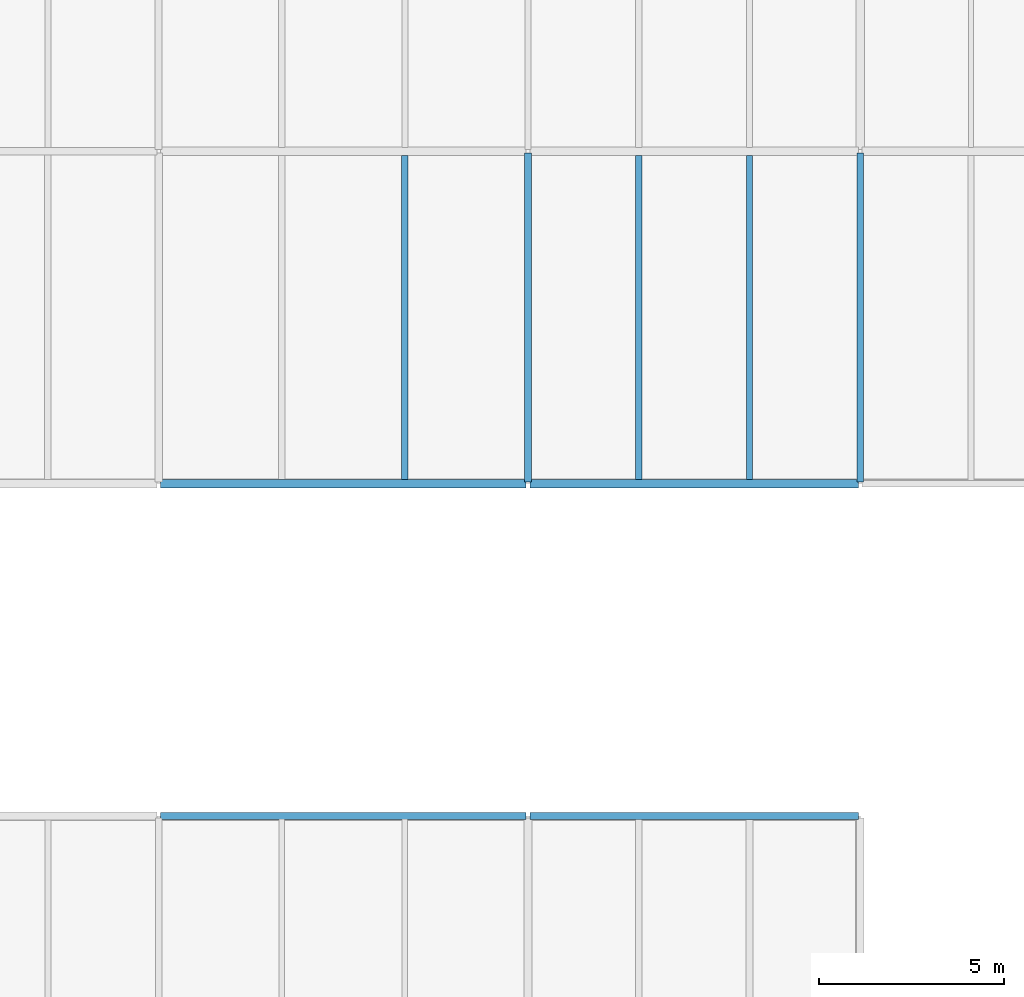
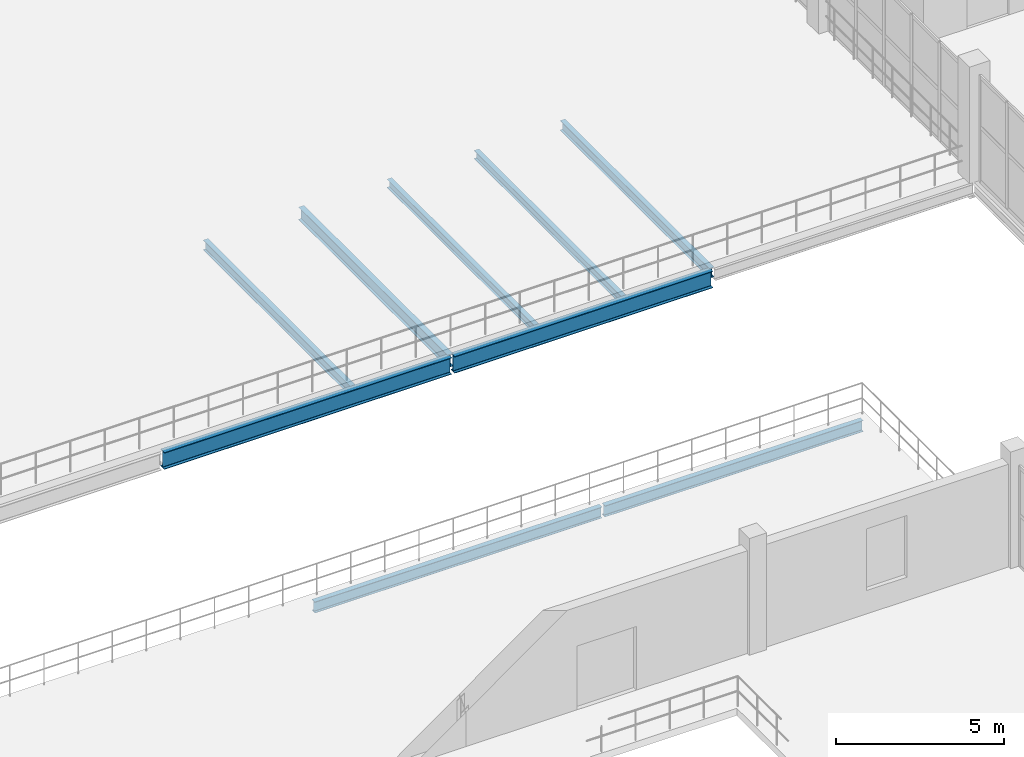
# One storey, part 21 of 73: 9 beams.
"""IFC4 building model written with IfcOpenShell, lengths in metres."""

from ifc_helpers import new_model, si_unit, direction, frame, origin, origin_2d, place, context, subcontext, project, spatial, i_section, extrude, material, material_profile, profile_set, type_object, element, save


model = new_model("IFC4")

# Units and contexts
model_context = context("Model", 3, precision=1e-05, world=origin(), true_north=direction((0.0, 1.0)))
body_context = subcontext(model_context, "Body", "Model", "MODEL_VIEW")
ifc_project = project(units=[si_unit("LENGTHUNIT", "METRE"), si_unit("AREAUNIT", "SQUARE_METRE"), si_unit("VOLUMEUNIT", "CUBIC_METRE"), si_unit("PLANEANGLEUNIT", "RADIAN"), si_unit("MASSUNIT", "GRAM", prefix="KILO")], contexts=[model_context])

# Site, building, storey
site_placement = place(None, origin())
site = spatial("IfcSite", under=ifc_project, at=site_placement, CompositionType="ELEMENT")
building_placement = place(site_placement, origin())
building = spatial("IfcBuilding", under=site, at=building_placement, Name="Marnock Terrace Opera House", CompositionType="ELEMENT")
storey_placement = place(building_placement, frame((0.0, 0.0, 14.699951171875)))
storey = spatial("IfcBuildingStorey", under=building, at=storey_placement, Name="L03", CompositionType="ELEMENT", Elevation=14.699951171875)

# Beams
ifc_material = material(Name="Steel Grade 350 (AS/NZS 3679.1)", Category="steel")
ifc_material_profile_1 = material_profile(ifc_material, i_section(OverallWidth=0.1708984375, OverallDepth=0.355712890625, WebThickness=0.00732421875, FlangeThickness=0.011474609375, FilletRadius=0.011474609375, at=origin_2d()))
ifc_profile_set_1 = profile_set([ifc_material_profile_1], Name="Steel Grade 350 (AS/NZS 3679.1)")
beam_type_1 = type_object("IfcBeamType", Name="BM-GIRD-360", PredefinedType="BEAM", material=ifc_profile_set_1)
beam_1_placement = place(storey_placement, frame((46.0, 66.050048828125, -0.44775390625), z_axis=(0.0, 1.0, 0.0), x_axis=(-1.0, 0.0, 0.0)))
element("IfcBeam", 1, at=beam_1_placement, inside=storey, type_object=beam_type_1, Name="L03 girder (X=46.0, 66.0..75.0)", PredefinedType="BEAM", context=body_context, shape_type="SweptSolid", body=[
    extrude(i_section(OverallWidth=0.1708984375, OverallDepth=0.355712890625, WebThickness=0.00732421875, FlangeThickness=0.011474609375, FilletRadius=0.011474609375, at=origin_2d()), origin(), (0.0, 0.0, 1.0), 8.89990234375),
])
ifc_material_profile_2 = material_profile(ifc_material, i_section(OverallWidth=0.177978515625, OverallDepth=0.402587890625, WebThickness=0.007568359375, FlangeThickness=0.010986328125, FilletRadius=0.011474609375, at=origin_2d()))
ifc_profile_set_2 = profile_set([ifc_material_profile_2], Name="Steel Grade 350 (AS/NZS 3679.1)")
beam_type_2 = type_object("IfcBeamType", Name="BM-GIRD-410", PredefinedType="BEAM", material=ifc_profile_set_2)
beam_2_placement = place(storey_placement, frame((27.050048828125, 57.0, -0.47119140625), z_axis=(1.0, 0.0, 0.0), x_axis=(0.0, 1.0, 0.0)))
element("IfcBeam", 2, at=beam_2_placement, inside=storey, type_object=beam_type_2, Name="L03 girder (27.0..37.0, Y=57.0)", PredefinedType="BEAM", context=body_context, shape_type="SweptSolid", body=[
    extrude(i_section(OverallWidth=0.177978515625, OverallDepth=0.402587890625, WebThickness=0.007568359375, FlangeThickness=0.010986328125, FilletRadius=0.011474609375, at=origin_2d()), origin(), (0.0, 0.0, 1.0), 9.89990234375),
])
beam_3_placement = place(storey_placement, frame((37.050048828125, 57.0, -0.47119140625), z_axis=(1.0, 0.0, 0.0), x_axis=(0.0, 1.0, 0.0)))
element("IfcBeam", 3, at=beam_3_placement, inside=storey, type_object=beam_type_2, Name="L03 girder (37.0..46.0, Y=57.0)", PredefinedType="BEAM", context=body_context, shape_type="SweptSolid", body=[
    extrude(i_section(OverallWidth=0.177978515625, OverallDepth=0.402587890625, WebThickness=0.007568359375, FlangeThickness=0.010986328125, FilletRadius=0.011474609375, at=origin_2d()), origin(), (0.0, 0.0, 1.0), 8.89990234375),
])
ifc_material_profile_3 = material_profile(ifc_material, i_section(OverallWidth=0.18994140625, OverallDepth=0.45751953125, WebThickness=0.009033203125, FlangeThickness=0.014404296875, FilletRadius=0.011474609375, at=origin_2d()))
ifc_profile_set_3 = profile_set([ifc_material_profile_3], Name="Steel Grade 350 (AS/NZS 3679.1)")
beam_type_3 = type_object("IfcBeamType", Name="BM-GIRD-460B", PredefinedType="BEAM", material=ifc_profile_set_3)
beam_4_placement = place(storey_placement, frame((37.0, 66.050048828125, -0.49853515625), z_axis=(0.0, 1.0, 0.0), x_axis=(-1.0, 0.0, 0.0)))
element("IfcBeam", 4, at=beam_4_placement, inside=storey, type_object=beam_type_3, Name="L03 girder (X=37.0, 66.0..75.0)", PredefinedType="BEAM", context=body_context, shape_type="SweptSolid", body=[
    extrude(i_section(OverallWidth=0.18994140625, OverallDepth=0.45751953125, WebThickness=0.009033203125, FlangeThickness=0.014404296875, FilletRadius=0.011474609375, at=origin_2d()), origin(), (0.0, 0.0, 1.0), 8.89990234375),
])
ifc_material_profile_4 = material_profile(ifc_material, i_section(OverallWidth=0.22900390625, OverallDepth=0.611572265625, WebThickness=0.011962890625, FlangeThickness=0.01953125, FilletRadius=0.013916015625, at=origin_2d()))
ifc_profile_set_4 = profile_set([ifc_material_profile_4], Name="Steel Grade 350 (AS/NZS 3679.1)")
beam_type_4 = type_object("IfcBeamType", Name="BM-GIRD-610A", PredefinedType="BEAM", material=ifc_profile_set_4)
beam_5_placement = place(storey_placement, frame((27.050048828125, 66.0, -0.57568359375), z_axis=(1.0, 0.0, 0.0), x_axis=(0.0, 1.0, 0.0)))
element("IfcBeam", 5, at=beam_5_placement, inside=storey, type_object=beam_type_4, Name="L03 girder (27.0..37.0, Y=66.0)", PredefinedType="BEAM", context=body_context, shape_type="SweptSolid", body=[
    extrude(i_section(OverallWidth=0.22900390625, OverallDepth=0.611572265625, WebThickness=0.011962890625, FlangeThickness=0.01953125, FilletRadius=0.013916015625, at=origin_2d()), origin(), (0.0, 0.0, 1.0), 9.89990234375),
])
beam_6_placement = place(storey_placement, frame((37.050048828125, 66.0, -0.57568359375), z_axis=(1.0, 0.0, 0.0), x_axis=(0.0, 1.0, 0.0)))
element("IfcBeam", 6, at=beam_6_placement, inside=storey, type_object=beam_type_4, Name="L03 girder (37.0..46.0, Y=66.0)", PredefinedType="BEAM", context=body_context, shape_type="SweptSolid", body=[
    extrude(i_section(OverallWidth=0.22900390625, OverallDepth=0.611572265625, WebThickness=0.011962890625, FlangeThickness=0.01953125, FilletRadius=0.013916015625, at=origin_2d()), origin(), (0.0, 0.0, 1.0), 8.89990234375),
])
ifc_material_profile_5 = material_profile(ifc_material, i_section(OverallWidth=0.166015625, OverallDepth=0.30712890625, WebThickness=0.006591796875, FlangeThickness=0.01171875, FilletRadius=0.011474609375, at=origin_2d()))
ifc_profile_set_5 = profile_set([ifc_material_profile_5], Name="Steel Grade 350 (AS/NZS 3679.1)")
beam_type_5 = type_object("IfcBeamType", Name="BM-JOIST-310A", PredefinedType="JOIST", material=ifc_profile_set_5)
for number, where, z_axis, x_axis, name in (
    (7, (40.0, 66.109619140625, -0.423583984375), (0.0, 1.0, 0.0), (-1.0, 0.0, 0.0), "L03 secondary joist 4.8.1"),
    (8, (43.0, 66.109619140625, -0.423583984375), (0.0, 1.0, 0.0), (-1.0, 0.0, 0.0), "L03 secondary joist 4.8.2"),
):
    element("IfcBeam", number, at=place(storey_placement, frame(where, z_axis=z_axis, x_axis=x_axis)), inside=storey, type_object=beam_type_5, Name=name, PredefinedType="JOIST", context=body_context, shape_type="SweptSolid", body=[
        extrude(i_section(OverallWidth=0.166015625, OverallDepth=0.30712890625, WebThickness=0.006591796875, FlangeThickness=0.01171875, FilletRadius=0.011474609375, at=origin_2d()), origin(), (0.0, 0.0, 1.0), 8.781494140625),
    ])
ifc_material_profile_6 = material_profile(ifc_material, i_section(OverallWidth=0.172119140625, OverallDepth=0.358642578125, WebThickness=0.008056640625, FlangeThickness=0.012939453125, FilletRadius=0.011474609375, at=origin_2d()))
ifc_profile_set_6 = profile_set([ifc_material_profile_6], Name="Steel Grade 350 (AS/NZS 3679.1)")
beam_type_6 = type_object("IfcBeamType", Name="BM-JOIST-360", PredefinedType="JOIST", material=ifc_profile_set_6)
beam_7_placement = place(storey_placement, frame((33.666748046875, 66.109619140625, -0.44921875), z_axis=(0.0, 1.0, 0.0), x_axis=(-1.0, 0.0, 0.0)))
element("IfcBeam", 9, at=beam_7_placement, inside=storey, type_object=beam_type_6, Name="L03 secondary joist 3.8.2", PredefinedType="JOIST", context=body_context, shape_type="SweptSolid", body=[
    extrude(i_section(OverallWidth=0.172119140625, OverallDepth=0.358642578125, WebThickness=0.008056640625, FlangeThickness=0.012939453125, FilletRadius=0.011474609375, at=origin_2d()), origin(), (0.0, 0.0, 1.0), 8.781494140625),
])

save(model, "model.ifc")
